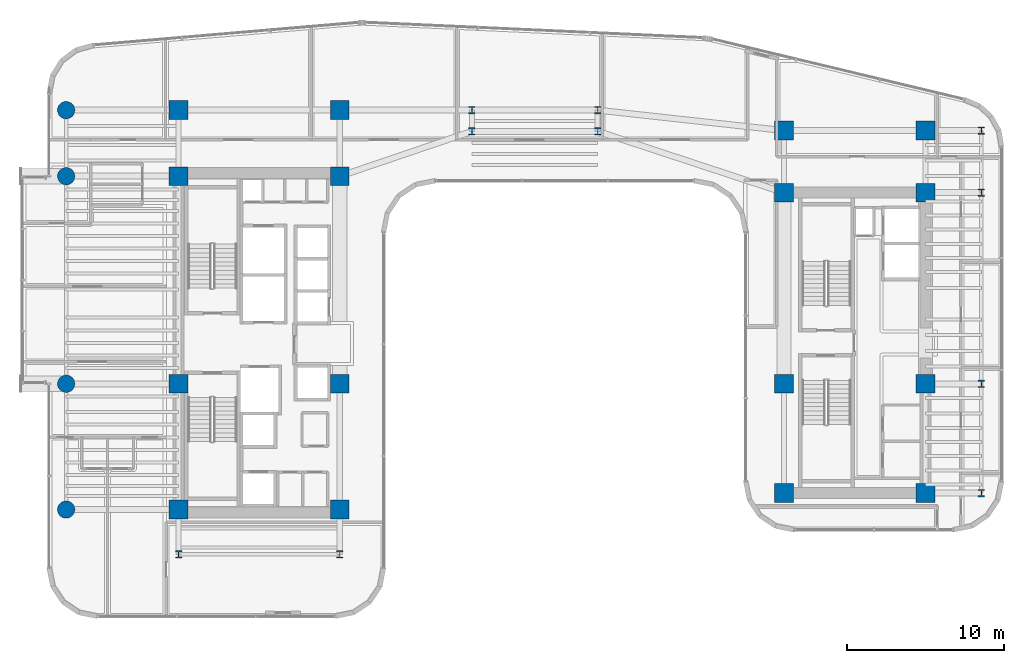
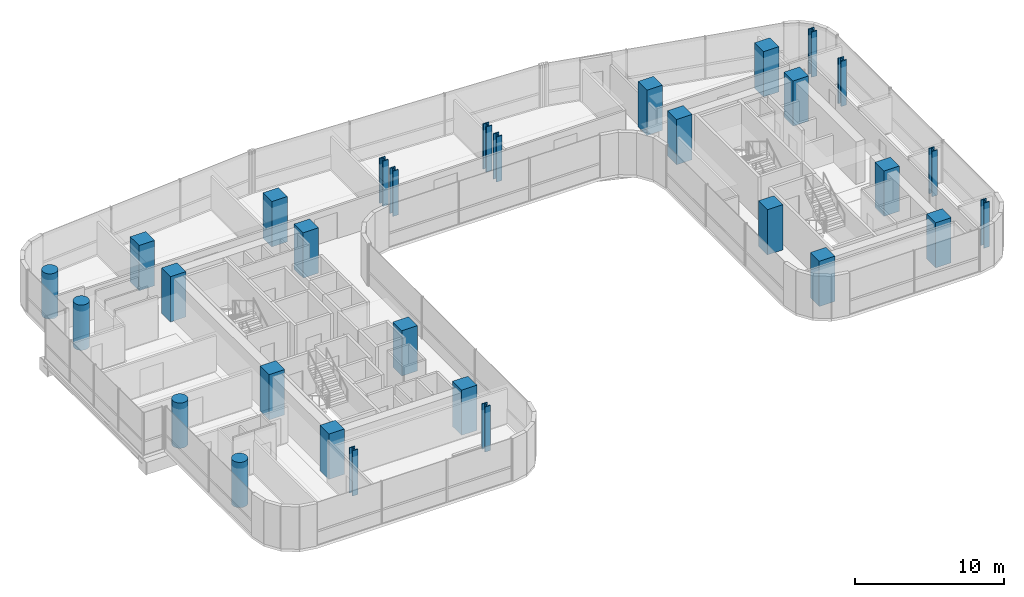
# One storey, part 1 of 35: 30 columns.
"""IFC4 building model written with IfcOpenShell, lengths in metres."""

from ifc_helpers import new_model, si_unit, direction, frame, origin, origin_2d, place, context, subcontext, project, spatial, rectangle, circle, i_section, extrude, source, transform, mapped, material, material_profile, profile_set, type_object, element, save


model = new_model("IFC4")

# Units and contexts
model_context = context("Model", 3, precision=1e-05, world=origin(), true_north=direction((0.0, 1.0)))
body_context = subcontext(model_context, "Body", "Model", "MODEL_VIEW")
ifc_project = project(units=[si_unit("LENGTHUNIT", "METRE"), si_unit("AREAUNIT", "SQUARE_METRE"), si_unit("VOLUMEUNIT", "CUBIC_METRE"), si_unit("PLANEANGLEUNIT", "RADIAN"), si_unit("MASSUNIT", "GRAM", prefix="KILO")], contexts=[model_context])

# Site, building, storey
site_placement = place(None, origin())
site = spatial("IfcSite", under=ifc_project, at=site_placement, CompositionType="ELEMENT")
building_placement = place(site_placement, origin())
building = spatial("IfcBuilding", under=site, at=building_placement, Name="Valdorenza Pilgrim Sanctuary Tower", CompositionType="ELEMENT")
storey_placement = place(building_placement, frame((0.0, 0.0, 139.0)))
storey = spatial("IfcBuildingStorey", under=building, at=storey_placement, Name="L35", CompositionType="ELEMENT", Elevation=139.0)

# Columns
ifc_material_1 = material(Name="Concrete C50/60", Category="concrete")
ifc_material_profile_1 = material_profile(ifc_material_1, circle(Radius=0.550048828125, at=origin_2d()), Name="RC D1100")
ifc_profile_set_1 = profile_set([ifc_material_profile_1], Name="Concrete C50/60")
column_type_1 = type_object("IfcColumnType", Name="COL-RND-1100", PredefinedType="COLUMN", material=ifc_profile_set_1)
shared_shape_1 = source(origin(), body_context, "Body", "SweptSolid", [
    extrude(circle(Radius=0.550048828125, at=origin_2d()), origin(), (0.0, 0.0, 1.0), 3.699951171875),
])
for number, where, z_axis, x_axis, name in (
    (1, (-29.800048828125, -10.60009765625, 0.0), (0.0, 0.0, 1.0), (1.0, 0.0, 0.0), "L35 Perimeter Column WA-W-S1"),
    (2, (-29.800048828125, -2.60009765625, 0.0), (0.0, 0.0, 1.0), (1.0, 0.0, 0.0), "L35 Perimeter Column WA-W-M0"),
    (3, (-29.800048828125, 10.60009765625, 0.0), (0.0, 0.0, 1.0), (1.0, 0.0, 0.0), "L35 Perimeter Column WA-W-N1"),
    (4, (-29.800048828125, 14.800048828125, 0.0), (0.0, 0.0, 1.0), (1.0, 0.0, 0.0), "L35 Perimeter Column WA-W-N2"),
):
    element("IfcColumn", number, at=place(storey_placement, frame(where, z_axis=z_axis, x_axis=x_axis)), inside=storey, type_object=column_type_1, Name=name, PredefinedType="COLUMN", context=body_context, shape_type="MappedRepresentation", body=[
        mapped(shared_shape_1, transform((0.0, 0.0, 0.0), x_axis=(1.0, 0.0, 0.0), y_axis=(0.0, 1.0, 0.0), z_axis=(0.0, 0.0, 1.0), scale=1.0)),
    ])
ifc_material_2 = material(Name="Concrete C60/75", Category="concrete")
ifc_material_profile_2 = material_profile(ifc_material_2, rectangle(XDim=1.199951171875, YDim=1.199951171875, at=origin_2d()), Name="RC 1200x1200")
ifc_profile_set_2 = profile_set([ifc_material_profile_2], Name="Concrete C60/75")
column_type_2 = type_object("IfcColumnType", Name="COL-Z2-1200", PredefinedType="COLUMN", material=ifc_profile_set_2)
shared_shape_2 = source(origin(), body_context, "Body", "SweptSolid", [
    extrude(rectangle(XDim=1.199951171875, YDim=1.199951171875, at=origin_2d()), origin(), (0.0, 0.0, 1.0), 3.699951171875),
])
for number, where, z_axis, x_axis, name in (
    (5, (-22.64990234375, -10.60009765625, 0.0), (0.0, 0.0, 1.0), (1.0, 0.0, 0.0), "L35 Column CA-W-S1"),
    (6, (-12.39990234375, -10.60009765625, 0.0), (0.0, 0.0, 1.0), (1.0, 0.0, 0.0), "L35 Column CA-E-S1"),
    (7, (-22.64990234375, -2.60009765625, 0.0), (0.0, 0.0, 1.0), (1.0, 0.0, 0.0), "L35 Column CA-W-M0"),
    (8, (-12.39990234375, -2.60009765625, 0.0), (0.0, 0.0, 1.0), (1.0, 0.0, 0.0), "L35 Column CA-E-M0"),
    (9, (-22.64990234375, 10.60009765625, 0.0), (0.0, 0.0, 1.0), (1.0, 0.0, 0.0), "L35 Column CA-W-N1"),
    (10, (-12.39990234375, 10.60009765625, 0.0), (0.0, 0.0, 1.0), (1.0, 0.0, 0.0), "L35 Column CA-E-N1"),
    (11, (-22.64990234375, 14.800048828125, 0.0), (0.0, 0.0, 1.0), (1.0, 0.0, 0.0), "L35 Column CA-W-N2"),
    (12, (-12.39990234375, 14.800048828125, 0.0), (0.0, 0.0, 1.0), (1.0, 0.0, 0.0), "L35 Column CA-E-N2"),
    (13, (15.85009765625, -9.550048828125, 0.0), (0.0, 0.0, 1.0), (1.0, 0.0, 0.0), "L35 Column CB-W-S1"),
    (14, (24.85009765625, -9.550048828125, 0.0), (0.0, 0.0, 1.0), (1.0, 0.0, 0.0), "L35 Column CB-E-S1"),
    (15, (15.85009765625, -2.60009765625, 0.0), (0.0, 0.0, 1.0), (1.0, 0.0, 0.0), "L35 Column CB-W-M0"),
    (16, (24.85009765625, -2.60009765625, 0.0), (0.0, 0.0, 1.0), (1.0, 0.0, 0.0), "L35 Column CB-E-M0"),
    (17, (15.85009765625, 9.550048828125, 0.0), (0.0, 0.0, 1.0), (1.0, 0.0, 0.0), "L35 Column CB-W-N1"),
    (18, (24.85009765625, 9.550048828125, 0.0), (0.0, 0.0, 1.0), (1.0, 0.0, 0.0), "L35 Column CB-E-N1"),
    (19, (15.85009765625, 13.5, 0.0), (0.0, 0.0, 1.0), (1.0, 0.0, 0.0), "L35 Column CB-W-N2"),
    (20, (24.85009765625, 13.5, 0.0), (0.0, 0.0, 1.0), (1.0, 0.0, 0.0), "L35 Column CB-E-N2"),
):
    element("IfcColumn", number, at=place(storey_placement, frame(where, z_axis=z_axis, x_axis=x_axis)), inside=storey, type_object=column_type_2, Name=name, PredefinedType="COLUMN", context=body_context, shape_type="MappedRepresentation", body=[
        mapped(shared_shape_2, transform((0.0, 0.0, 0.0), x_axis=(1.0, 0.0, 0.0), y_axis=(0.0, 1.0, 0.0), z_axis=(0.0, 0.0, 1.0), scale=1.0)),
    ])
ifc_material_3 = material(Name="Steel ASTM A992 Grade 50", Category="steel")
ifc_material_profile_3 = material_profile(ifc_material_3, i_section(OverallWidth=0.424072265625, OverallDepth=0.47412109375, WebThickness=0.047607421875, FlangeThickness=0.0771484375, at=origin_2d()), Name="W14X426")
ifc_profile_set_3 = profile_set([ifc_material_profile_3], Name="Steel ASTM A992 Grade 50")
column_type_3 = type_object("IfcColumnType", Name="COL-STL-W426", PredefinedType="COLUMN", material=ifc_profile_set_3)
shared_shape_3 = source(origin(), body_context, "Body", "SweptSolid", [
    extrude(i_section(OverallWidth=0.424072265625, OverallDepth=0.47412109375, WebThickness=0.047607421875, FlangeThickness=0.0771484375, at=origin_2d()), origin(), (0.0, 0.0, 1.0), 3.699951171875),
])
for number, where, z_axis, x_axis, name in (
    (21, (-22.64990234375, -13.449951171875, 0.0), (0.0, 0.0, 1.0), (1.0, 0.0, 0.0), "L35 Column WA-S-W"),
    (22, (-12.39990234375, -13.449951171875, 0.0), (0.0, 0.0, 1.0), (1.0, 0.0, 0.0), "L35 Column WA-S-E"),
    (23, (28.39990234375, -9.550048828125, 0.0), (0.0, 0.0, 1.0), (1.0, 0.0, 0.0), "L35 Perimeter Column WB-E-S1"),
    (24, (28.39990234375, -2.60009765625, 0.0), (0.0, 0.0, 1.0), (1.0, 0.0, 0.0), "L35 Perimeter Column WB-E-M0"),
    (25, (28.39990234375, 9.550048828125, 0.0), (0.0, 0.0, 1.0), (1.0, 0.0, 0.0), "L35 Perimeter Column WB-E-N1"),
    (26, (28.39990234375, 13.5, 0.0), (0.0, 0.0, 1.0), (1.0, 0.0, 0.0), "L35 Perimeter Column WB-E-N2"),
    (27, (-4.0, 13.449951171875, 0.0), (0.0, 0.0, 1.0), (1.0, 0.0, 0.0), "L35 Column KNK-W1"),
    (28, (-4.0, 14.800048828125, 0.0), (0.0, 0.0, 1.0), (1.0, 0.0, 0.0), "L35 Column KNK-W2"),
    (29, (4.0, 13.449951171875, 0.0), (0.0, 0.0, 1.0), (1.0, 0.0, 0.0), "L35 Column KNK-E1"),
    (30, (4.0, 14.800048828125, 0.0), (0.0, 0.0, 1.0), (1.0, 0.0, 0.0), "L35 Column KNK-E2"),
):
    element("IfcColumn", number, at=place(storey_placement, frame(where, z_axis=z_axis, x_axis=x_axis)), inside=storey, type_object=column_type_3, Name=name, PredefinedType="COLUMN", context=body_context, shape_type="MappedRepresentation", body=[
        mapped(shared_shape_3, transform((0.0, 0.0, 0.0), x_axis=(1.0, 0.0, 0.0), y_axis=(0.0, 1.0, 0.0), z_axis=(0.0, 0.0, 1.0), scale=1.0)),
    ])

save(model, "model.ifc")
